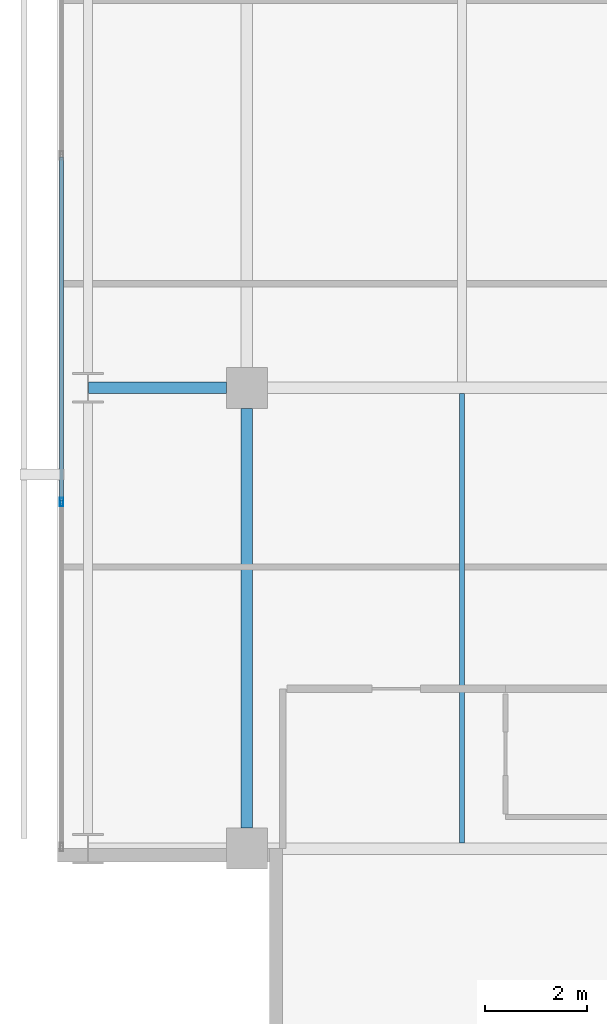
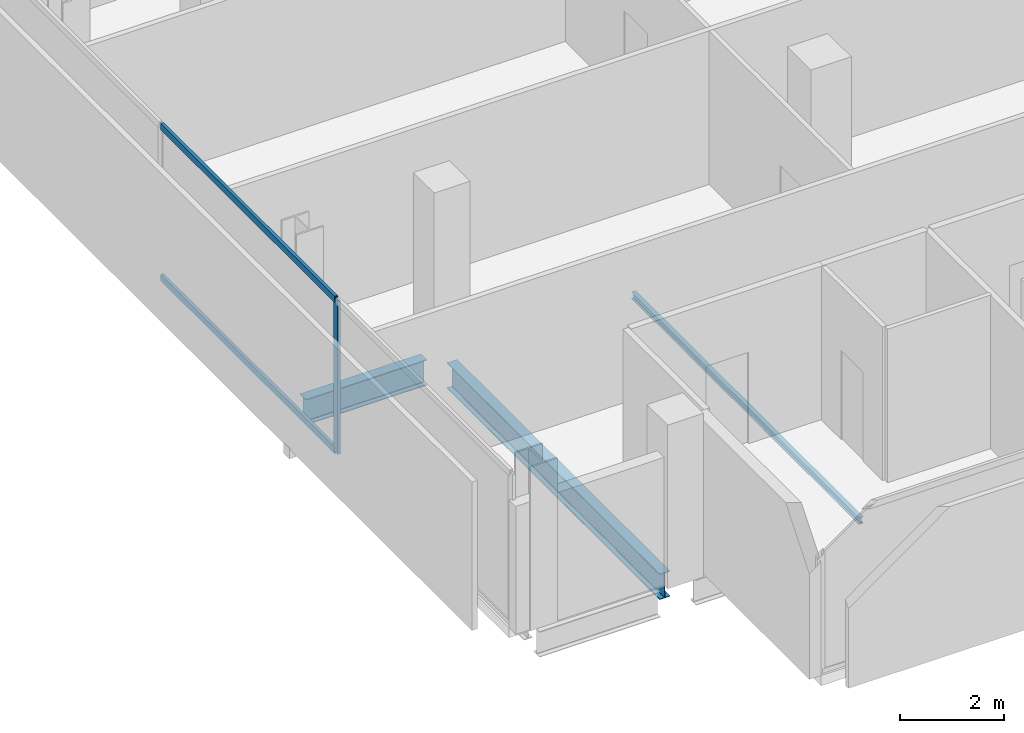
# One storey, part 4 of 33: 3 beams, 3 members, 1 element without a shape of its own.
"""IFC4 building model written with IfcOpenShell, lengths in metres."""

from ifc_helpers import new_model, si_unit, direction, frame, origin, origin_2d, place, context, subcontext, project, spatial, hollow_rectangle, i_section, extrude, material, layer, layer_set, material_profile, profile_set, type_object, element, aggregate, save


model = new_model("IFC4")

# Units and contexts
model_context = context("Model", 3, precision=1e-05, world=origin(), true_north=direction((0.0, 1.0)))
body_context = subcontext(model_context, "Body", "Model", "MODEL_VIEW")
ifc_project = project(units=[si_unit("LENGTHUNIT", "METRE"), si_unit("AREAUNIT", "SQUARE_METRE"), si_unit("VOLUMEUNIT", "CUBIC_METRE"), si_unit("PLANEANGLEUNIT", "RADIAN"), si_unit("MASSUNIT", "GRAM", prefix="KILO")], contexts=[model_context])

# Site, building, storey
site_placement = place(None, origin())
site = spatial("IfcSite", under=ifc_project, at=site_placement, CompositionType="ELEMENT")
building_placement = place(site_placement, origin())
building = spatial("IfcBuilding", under=site, at=building_placement, Name="Maruvema Waterfront Hotel and Observation Tower", CompositionType="ELEMENT")
storey_placement = place(building_placement, frame((0.0, 0.0, 158.199951171875)))
storey = spatial("IfcBuildingStorey", under=building, at=storey_placement, Name="L38", CompositionType="ELEMENT", Elevation=158.199951171875)

# Curtain wall, members
ifc_material_1 = material(Name="Anodised bronze aluminium and solar-control low-E IGU", Category="aluminium")
ifc_layer = layer(ifc_material_1, 0.159912109375, Name="Zone 2 Amber Inner Thermal Curtain Wall System CW-03")
ifc_layer_set = layer_set([ifc_layer], Name="Anodised bronze aluminium and solar-control low-E IGU")
curtain_wall_type = type_object("IfcCurtainWallType", Name="Zone 2 Amber Inner Thermal Curtain Wall System CW-03", PredefinedType="USERDEFINED", material=ifc_layer_set)
curtain_wall_placement = place(storey_placement, origin())
curtain_wall = element("IfcCurtainWall", 1, at=curtain_wall_placement, inside=storey, type_object=curtain_wall_type, Name="L38 Curtain Wall CW-L38-W", ObjectType="UNITISED CURTAIN WALL", PredefinedType="USERDEFINED")
ifc_material_2 = material(Name="Anodised architectural bronze aluminium", Category="aluminium")
ifc_material_profile_1 = material_profile(ifc_material_2, hollow_rectangle(XDim=0.070068359375, YDim=0.14990234375, WallThickness=0.00390625, at=origin_2d()), Name="ALU-T70x150")
ifc_profile_set_1 = profile_set([ifc_material_profile_1], Name="Anodised architectural bronze aluminium")
member_type_1 = type_object("IfcMemberType", Name="Curtain Wall Horizontal Transom ALU-T70x150", PredefinedType="USERDEFINED", material=ifc_profile_set_1)
member_1_placement = place(storey_placement, frame((13.179931640625, 22.50341796875, 0.030029296875), z_axis=(0.0, -1.0, 0.0), x_axis=(1.0, 0.0, 0.0)))
member_1 = element("IfcMember", 2, at=member_1_placement, type_object=member_type_1, Name="CW-03 transom 5.1", ObjectType="TRANSOM", PredefinedType="USERDEFINED", context=body_context, shape_type="SweptSolid", body=[
    extrude(hollow_rectangle(XDim=0.070068359375, YDim=0.14990234375, WallThickness=0.00390625, at=origin_2d()), origin(), (0.0, 0.0, 1.0), 6.706787109375),
])
member_2_placement = place(storey_placement, frame((13.179931640625, 22.50341796875, 3.580078125), z_axis=(0.0, -1.0, 0.0), x_axis=(1.0, 0.0, 0.0)))
member_2 = element("IfcMember", 3, at=member_2_placement, type_object=member_type_1, Name="CW-03 transom 5.2", ObjectType="TRANSOM", PredefinedType="USERDEFINED", context=body_context, shape_type="SweptSolid", body=[
    extrude(hollow_rectangle(XDim=0.070068359375, YDim=0.14990234375, WallThickness=0.00390625, at=origin_2d()), origin(), (0.0, 0.0, 1.0), 6.706787109375),
])
ifc_material_3 = material(Name="Anodised architectural bronze aluminium", Category="aluminium")
ifc_material_profile_2 = material_profile(ifc_material_3, hollow_rectangle(XDim=0.06494140625, YDim=0.1650390625, WallThickness=0.00390625, at=origin_2d()), Name="ALU-M65x165")
ifc_profile_set_2 = profile_set([ifc_material_profile_2], Name="Anodised architectural bronze aluminium")
member_type_2 = type_object("IfcMemberType", Name="Curtain Wall Primary Mullion ALU-M65x165", PredefinedType="MULLION", material=ifc_profile_set_2)
member_3_placement = place(storey_placement, frame((13.179931640625, 15.7666015625, 0.0), z_axis=(0.0, 0.0, 1.0), x_axis=(1.0, 0.0, 0.0)))
member_3 = element("IfcMember", 4, at=member_3_placement, type_object=member_type_2, Name="CW-03 mullion 6", PredefinedType="MULLION", context=body_context, shape_type="SweptSolid", body=[
    extrude(hollow_rectangle(XDim=0.06494140625, YDim=0.1650390625, WallThickness=0.00390625, at=origin_2d()), origin(), (0.0, 0.0, 1.0), 3.610107421875),
])
aggregate(curtain_wall, [member_3, member_1, member_2])

# Beams
ifc_material_4 = material(Name="Steel ASTM A572 Grade 50", Category="steel")
ifc_material_profile_3 = material_profile(ifc_material_4, i_section(OverallWidth=0.22802734375, OverallDepth=0.60302734375, WebThickness=0.010498046875, FlangeThickness=0.014892578125, FilletRadius=0.01806640625, at=origin_2d()), Name="W610x101.0")
ifc_profile_set_3 = profile_set([ifc_material_profile_3], Name="Steel ASTM A572 Grade 50")
beam_type_1 = type_object("IfcBeamType", Name="Primary Floor Girder W610x101.0", PredefinedType="BEAM", material=ifc_profile_set_3)
beam_1_placement = place(storey_placement, frame((13.71240234375, 18.0, -0.54150390625), z_axis=(1.0, 0.0, 0.0), x_axis=(0.0, 1.0, 0.0)))
element("IfcBeam", 5, at=beam_1_placement, inside=storey, type_object=beam_type_1, Name="L38 Floor Girder EW-11", PredefinedType="BEAM", context=body_context, shape_type="SweptSolid", body=[
    extrude(i_section(OverallWidth=0.22802734375, OverallDepth=0.60302734375, WebThickness=0.010498046875, FlangeThickness=0.014892578125, FilletRadius=0.01806640625, at=origin_2d()), origin(), (0.0, 0.0, 1.0), 2.6875),
])
beam_2_placement = place(storey_placement, frame((16.800048828125, 9.39990234375, -0.54150390625), z_axis=(0.0, 1.0, 0.0), x_axis=(-1.0, 0.0, 0.0)))
element("IfcBeam", 6, at=beam_2_placement, inside=storey, type_object=beam_type_1, Name="L38 Floor Girder NS-05", PredefinedType="BEAM", context=body_context, shape_type="SweptSolid", body=[
    extrude(i_section(OverallWidth=0.22802734375, OverallDepth=0.60302734375, WebThickness=0.010498046875, FlangeThickness=0.014892578125, FilletRadius=0.01806640625, at=origin_2d()), origin(), (0.0, 0.0, 1.0), 8.2001953125),
])
ifc_material_5 = material(Name="Steel ASTM A572 Grade 50", Category="steel")
ifc_material_profile_4 = material_profile(ifc_material_5, i_section(OverallWidth=0.10009765625, OverallDepth=0.153076171875, WebThickness=0.005859375, FlangeThickness=0.007080078125, FilletRadius=0.008056640625, at=origin_2d()), Name="W150x18.0")
ifc_profile_set_4 = profile_set([ifc_material_profile_4], Name="Steel ASTM A572 Grade 50")
beam_type_2 = type_object("IfcBeamType", Name="Secondary Floor Joist W150x18.0", PredefinedType="JOIST", material=ifc_profile_set_4)
beam_3_placement = place(storey_placement, frame((21.0, 9.114013671875, -0.31640625), z_axis=(0.0, 1.0, 0.0), x_axis=(-1.0, 0.0, 0.0)))
element("IfcBeam", 7, at=beam_3_placement, inside=storey, type_object=beam_type_2, Name="L38 Secondary Floor Joist JS-01", PredefinedType="JOIST", context=body_context, shape_type="SweptSolid", body=[
    extrude(i_section(OverallWidth=0.10009765625, OverallDepth=0.153076171875, WebThickness=0.005859375, FlangeThickness=0.007080078125, FilletRadius=0.008056640625, at=origin_2d()), origin(), (0.0, 0.0, 1.0), 8.77197265625),
])

save(model, "model.ifc")
